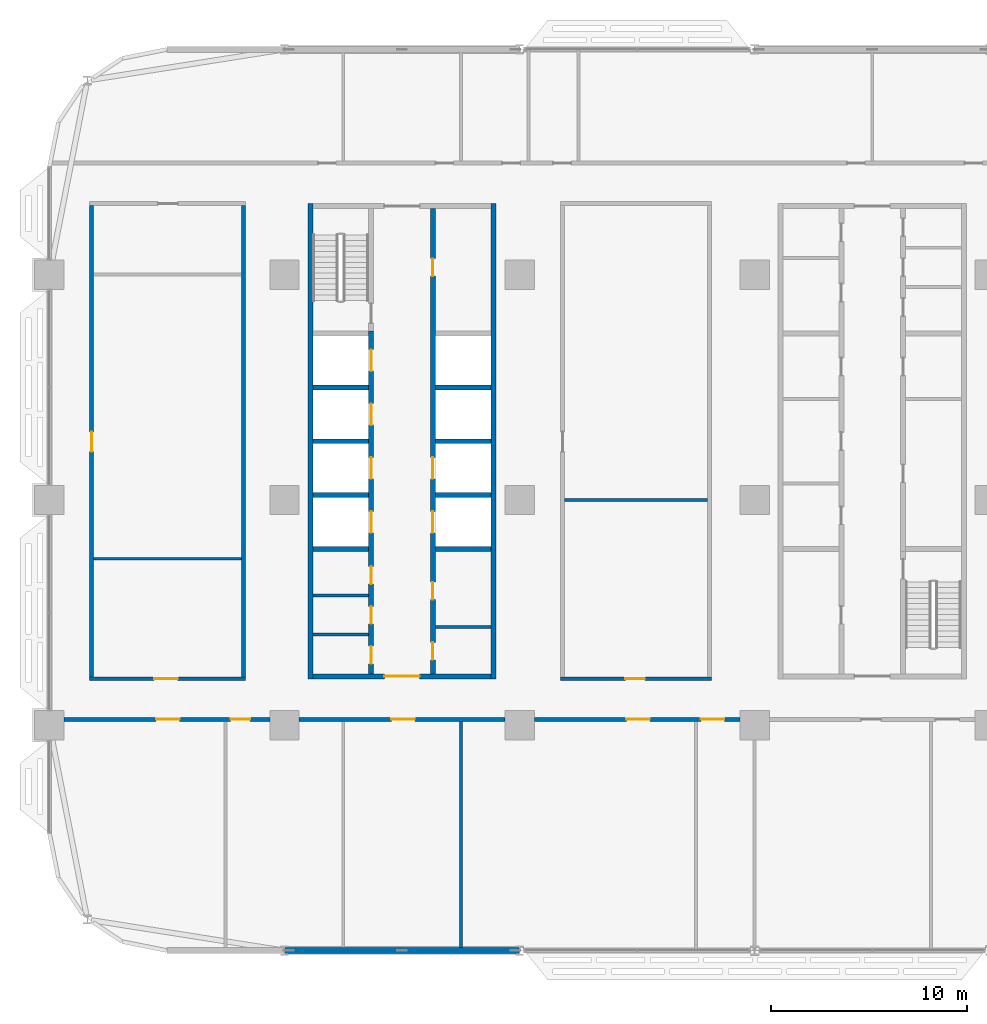
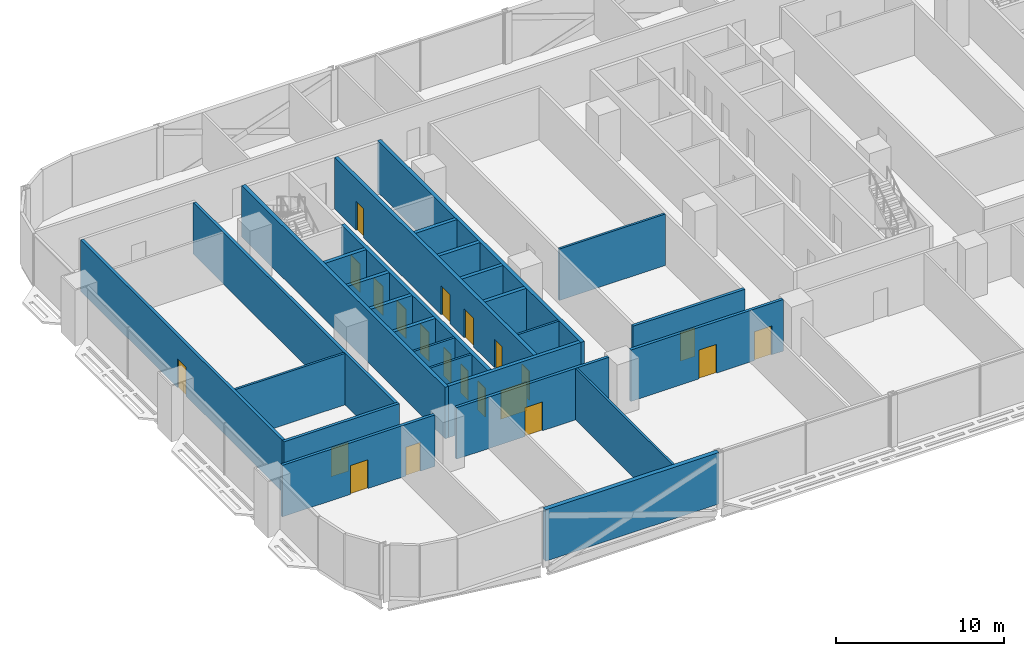
# One storey, part 12 of 29: 27 walls, 21 doors, 21 openings.
"""IFC4 building model written with IfcOpenShell, lengths in metres."""

from ifc_helpers import new_model, si_unit, direction, frame, frame_2d, origin, place, context, subcontext, project, spatial, rectangle, extrude, material, layer, layer_set, type_object, element, fill, save


model = new_model("IFC4")

# Units and contexts
model_context = context("Model", 3, precision=1e-05, world=origin(), true_north=direction((0.0, 1.0)))
body_context = subcontext(model_context, "Body", "Model", "MODEL_VIEW")
ifc_project = project(units=[si_unit("LENGTHUNIT", "METRE"), si_unit("AREAUNIT", "SQUARE_METRE"), si_unit("VOLUMEUNIT", "CUBIC_METRE"), si_unit("PLANEANGLEUNIT", "RADIAN"), si_unit("MASSUNIT", "GRAM", prefix="KILO")], contexts=[model_context])

# Site, building, storey
site_placement = place(None, origin())
site = spatial("IfcSite", under=ifc_project, at=site_placement, CompositionType="ELEMENT")
building_placement = place(site_placement, origin())
building = spatial("IfcBuilding", under=site, at=building_placement, Name="Mahtab Terrace Research Tower", CompositionType="ELEMENT")
storey_placement = place(building_placement, frame((0.0, 0.0, 76.10009765625)))
storey = spatial("IfcBuildingStorey", under=building, at=storey_placement, Name="L17", CompositionType="ELEMENT", Elevation=76.10009765625)

# Walls
ifc_material_1 = material(Name="Gypsum board partition")
ifc_layer_1 = layer(ifc_material_1, 0.14990234375)
ifc_layer_set_1 = layer_set([ifc_layer_1], Name="Core partition 150")
wall_type_1 = type_object("IfcWallType", Name="Core partition 150", PredefinedType="PARTITIONING", material=ifc_layer_set_1)
for number, where, z_axis, x_axis, name in (
    (1, (-28.550048828125, -6.875, 0.0), (0.0, 0.0, 1.0), (1.0, 0.0, 0.0), "Core wall A pWS-988"),
    (2, (-28.550048828125, -4.875, 0.0), (0.0, 0.0, 1.0), (1.0, 0.0, 0.0), "Core wall A pWS-788"),
    (3, (-22.300048828125, -6.47509765625, 0.0), (0.0, 0.0, 1.0), (1.0, 0.0, 0.0), "Core wall A pES-948"),
):
    element("IfcWall", number, at=place(storey_placement, frame(where, z_axis=z_axis, x_axis=x_axis)), inside=storey, type_object=wall_type_1, Name=name, PredefinedType="PARTITIONING", context=body_context, shape_type="SweptSolid", body=[
        extrude(rectangle(XDim=2.85009765625, YDim=0.14990234375, at=frame_2d((1.425048828125, 0.0))), origin(), (0.0, 0.0, 1.0), 3.75),
    ])
ifc_material_2 = material(Name="Concrete C70/85", Category="concrete")
ifc_layer_2 = layer(ifc_material_2, 0.25)
ifc_layer_set_2 = layer_set([ifc_layer_2], Name="Core wall 250")
wall_type_2 = type_object("IfcWallType", Name="Core wall 250", PredefinedType="SOLIDWALL", material=ifc_layer_set_2)
for number, where, z_axis, x_axis, name in (
    (4, (-28.675048828125, 15.125, 0.0), (0.0, 0.0, 1.0), (0.0, -1.0, 0.0), "Core wall A outerW"),
    (5, (-19.324951171875, -9.125, 0.0), (0.0, 0.0, 1.0), (0.0, 1.0, 0.0), "Core wall A outerE"),
):
    element("IfcWall", number, at=place(storey_placement, frame(where, z_axis=z_axis, x_axis=x_axis)), inside=storey, type_object=wall_type_2, Name=name, PredefinedType="SOLIDWALL", context=body_context, shape_type="SweptSolid", body=[
        extrude(rectangle(XDim=24.25, YDim=0.25, at=frame_2d((12.125, 0.0))), origin(), (0.0, 0.0, 1.0), 3.75),
    ])

# Wall, opening, door
wall_1_placement = place(storey_placement, frame((-19.449951171875, -9.0, 0.0), z_axis=(0.0, 0.0, 1.0), x_axis=(-1.0, 0.0, 0.0)))
wall_1 = element("IfcWall", 6, at=wall_1_placement, inside=storey, type_object=wall_type_2, Name="Core wall A endS", PredefinedType="SOLIDWALL", context=body_context, shape_type="SweptSolid", body=[
    extrude(rectangle(XDim=9.10009765625, YDim=0.25, at=frame_2d((4.550048828125, 0.0))), origin(), (0.0, 0.0, 1.0), 3.75),
])
opening_1_placement = place(wall_1_placement, frame((3.64990234375, 0.0, 0.0)))
opening_1 = element("IfcOpeningElement", 7, at=opening_1_placement, cuts=wall_1, Name="Opening A-S1", PredefinedType="OPENING", context=body_context, shape_type="SweptSolid", body=[
    extrude(rectangle(XDim=1.800048828125, YDim=2.10009765625, at=frame_2d((0.89990234375, 1.050048828125))), frame((0.0, 0.135009765625, 0.0), z_axis=(0.0, -1.0, 0.0), x_axis=(1.0, 0.0, 0.0)), (0.0, 0.0, 1.0), 0.27001953125),
])
ifc_material_3 = material(Name="Steel fire door", Category="steel")
door_type_1 = type_object("IfcDoorType", Name="Lobby double door 1800x2100 1 HR", OperationType="DOUBLE_DOOR_SINGLE_SWING", PredefinedType="DOOR", material=ifc_material_3)
door_1_placement = place(opening_1_placement, origin())
door_1 = element("IfcDoor", 8, at=door_1_placement, inside=storey, type_object=door_type_1, Name="Core entrance door A S", OperationType="DOUBLE_DOOR_SINGLE_SWING", OverallHeight=2.10009765625, OverallWidth=1.800048828125, PredefinedType="DOOR", context=body_context, shape_type="SweptSolid", body=[
    extrude(rectangle(XDim=1.800048828125, YDim=2.10009765625, at=frame_2d((0.89990234375, 1.050048828125))), frame((0.0, 0.02490234375, 0.0), z_axis=(0.0, -1.0, 0.0), x_axis=(1.0, 0.0, 0.0)), (0.0, 0.0, 1.0), 0.050048828125),
])
fill(opening_1, door_1)

# Wall, openings, doors
wall_2_placement = place(storey_placement, frame((-25.574951171875, -8.875, 0.0), z_axis=(0.0, 0.0, 1.0), x_axis=(0.0, 1.0, 0.0)))
wall_2 = element("IfcWall", 9, at=wall_2_placement, inside=storey, type_object=wall_type_2, Name="Core wall A innerWSL", PredefinedType="SOLIDWALL", context=body_context, shape_type="SweptSolid", body=[
    extrude(rectangle(XDim=17.5, YDim=0.25, at=frame_2d((8.75, 0.0))), origin(), (0.0, 0.0, 1.0), 3.75),
])
opening_2_placement = place(wall_2_placement, frame((7.199951171875, 0.0, 0.0)))
opening_2 = element("IfcOpeningElement", 10, at=opening_2_placement, cuts=wall_2, Name="Opening LD01-L17", PredefinedType="OPENING", context=body_context, shape_type="SweptSolid", body=[
    extrude(rectangle(XDim=1.10009765625, YDim=2.10009765625, at=frame_2d((0.550048828125, 1.050048828125))), frame((0.0, 0.135009765625, 0.0), z_axis=(0.0, -1.0, 0.0), x_axis=(1.0, 0.0, 0.0)), (0.0, 0.0, 1.0), 0.27001953125),
])
opening_3_placement = place(wall_2_placement, frame((9.949951171875, 0.0, 0.0)))
opening_3 = element("IfcOpeningElement", 11, at=opening_3_placement, cuts=wall_2, Name="Opening LD02-L17", PredefinedType="OPENING", context=body_context, shape_type="SweptSolid", body=[
    extrude(rectangle(XDim=1.10009765625, YDim=2.10009765625, at=frame_2d((0.550048828125, 1.050048828125))), frame((0.0, 0.135009765625, 0.0), z_axis=(0.0, -1.0, 0.0), x_axis=(1.0, 0.0, 0.0)), (0.0, 0.0, 1.0), 0.27001953125),
])
opening_4_placement = place(wall_2_placement, frame((12.699951171875, 0.0, 0.0)))
opening_4 = element("IfcOpeningElement", 12, at=opening_4_placement, cuts=wall_2, Name="Opening LD03-L17", PredefinedType="OPENING", context=body_context, shape_type="SweptSolid", body=[
    extrude(rectangle(XDim=1.10009765625, YDim=2.10009765625, at=frame_2d((0.550048828125, 1.050048828125))), frame((0.0, 0.135009765625, 0.0), z_axis=(0.0, -1.0, 0.0), x_axis=(1.0, 0.0, 0.0)), (0.0, 0.0, 1.0), 0.27001953125),
])
opening_5_placement = place(wall_2_placement, frame((15.449951171875, 0.0, 0.0)))
opening_5 = element("IfcOpeningElement", 13, at=opening_5_placement, cuts=wall_2, Name="Opening LD04-L17", PredefinedType="OPENING", context=body_context, shape_type="SweptSolid", body=[
    extrude(rectangle(XDim=1.10009765625, YDim=2.10009765625, at=frame_2d((0.550048828125, 1.050048828125))), frame((0.0, 0.135009765625, 0.0), z_axis=(0.0, -1.0, 0.0), x_axis=(1.0, 0.0, 0.0)), (0.0, 0.0, 1.0), 0.27001953125),
])
opening_6_placement = place(wall_2_placement, frame((0.512451171875, 0.0, 0.0)))
opening_6 = element("IfcOpeningElement", 14, at=opening_6_placement, cuts=wall_2, Name="Opening A-R1", PredefinedType="OPENING", context=body_context, shape_type="SweptSolid", body=[
    extrude(rectangle(XDim=0.89990234375, YDim=2.10009765625, at=frame_2d((0.449951171875, 1.050048828125))), frame((0.0, 0.135009765625, 0.0), z_axis=(0.0, -1.0, 0.0), x_axis=(1.0, 0.0, 0.0)), (0.0, 0.0, 1.0), 0.27001953125),
])
opening_7_placement = place(wall_2_placement, frame((2.550048828125, 0.0, 0.0)))
opening_7 = element("IfcOpeningElement", 15, at=opening_7_placement, cuts=wall_2, Name="Opening A-R2", PredefinedType="OPENING", context=body_context, shape_type="SweptSolid", body=[
    extrude(rectangle(XDim=0.89990234375, YDim=2.10009765625, at=frame_2d((0.449951171875, 1.050048828125))), frame((0.0, 0.135009765625, 0.0), z_axis=(0.0, -1.0, 0.0), x_axis=(1.0, 0.0, 0.0)), (0.0, 0.0, 1.0), 0.27001953125),
])
opening_8_placement = place(wall_2_placement, frame((4.58740234375, 0.0, 0.0)))
opening_8 = element("IfcOpeningElement", 16, at=opening_8_placement, cuts=wall_2, Name="Opening A-R3", PredefinedType="OPENING", context=body_context, shape_type="SweptSolid", body=[
    extrude(rectangle(XDim=0.89990234375, YDim=2.10009765625, at=frame_2d((0.449951171875, 1.050048828125))), frame((0.0, 0.135009765625, 0.0), z_axis=(0.0, -1.0, 0.0), x_axis=(1.0, 0.0, 0.0)), (0.0, 0.0, 1.0), 0.27001953125),
])
ifc_material_4 = material(Name="Stainless steel AISI 304", Category="steel")
door_type_2 = type_object("IfcDoorType", Name="Landing door 1100x2100", OperationType="DOUBLE_DOOR_SLIDING", PredefinedType="DOOR", material=ifc_material_4)
door_2_placement = place(opening_2_placement, origin())
door_2 = element("IfcDoor", 17, at=door_2_placement, inside=storey, type_object=door_type_2, Name="Landing door LR1 L17", OperationType="DOUBLE_DOOR_SLIDING", OverallHeight=2.10009765625, OverallWidth=1.10009765625, PredefinedType="DOOR", context=body_context, shape_type="SweptSolid", body=[
    extrude(rectangle(XDim=1.10009765625, YDim=2.10009765625, at=frame_2d((0.550048828125, 1.050048828125))), frame((0.0, 0.02490234375, 0.0), z_axis=(0.0, -1.0, 0.0), x_axis=(1.0, 0.0, 0.0)), (0.0, 0.0, 1.0), 0.050048828125),
])
fill(opening_2, door_2)
door_3_placement = place(opening_3_placement, origin())
door_3 = element("IfcDoor", 18, at=door_3_placement, inside=storey, type_object=door_type_2, Name="Landing door LR2 L17", OperationType="DOUBLE_DOOR_SLIDING", OverallHeight=2.10009765625, OverallWidth=1.10009765625, PredefinedType="DOOR", context=body_context, shape_type="SweptSolid", body=[
    extrude(rectangle(XDim=1.10009765625, YDim=2.10009765625, at=frame_2d((0.550048828125, 1.050048828125))), frame((0.0, 0.02490234375, 0.0), z_axis=(0.0, -1.0, 0.0), x_axis=(1.0, 0.0, 0.0)), (0.0, 0.0, 1.0), 0.050048828125),
])
fill(opening_3, door_3)
door_4_placement = place(opening_4_placement, origin())
door_4 = element("IfcDoor", 19, at=door_4_placement, inside=storey, type_object=door_type_2, Name="Landing door LR3 L17", OperationType="DOUBLE_DOOR_SLIDING", OverallHeight=2.10009765625, OverallWidth=1.10009765625, PredefinedType="DOOR", context=body_context, shape_type="SweptSolid", body=[
    extrude(rectangle(XDim=1.10009765625, YDim=2.10009765625, at=frame_2d((0.550048828125, 1.050048828125))), frame((0.0, 0.02490234375, 0.0), z_axis=(0.0, -1.0, 0.0), x_axis=(1.0, 0.0, 0.0)), (0.0, 0.0, 1.0), 0.050048828125),
])
fill(opening_4, door_4)
door_5_placement = place(opening_5_placement, origin())
door_5 = element("IfcDoor", 20, at=door_5_placement, inside=storey, type_object=door_type_2, Name="Landing door LR4 L17", OperationType="DOUBLE_DOOR_SLIDING", OverallHeight=2.10009765625, OverallWidth=1.10009765625, PredefinedType="DOOR", context=body_context, shape_type="SweptSolid", body=[
    extrude(rectangle(XDim=1.10009765625, YDim=2.10009765625, at=frame_2d((0.550048828125, 1.050048828125))), frame((0.0, 0.02490234375, 0.0), z_axis=(0.0, -1.0, 0.0), x_axis=(1.0, 0.0, 0.0)), (0.0, 0.0, 1.0), 0.050048828125),
])
fill(opening_5, door_5)
door_type_3 = type_object("IfcDoorType", Name="Room door 900x2100 1 HR", OperationType="NOTDEFINED", PredefinedType="DOOR", material=ifc_material_3)
door_6_placement = place(opening_6_placement, origin())
door_6 = element("IfcDoor", 21, at=door_6_placement, inside=storey, type_object=door_type_3, Name="Male WC door", OperationType="SINGLE_SWING_LEFT", OverallHeight=2.10009765625, OverallWidth=0.89990234375, PredefinedType="DOOR", context=body_context, shape_type="SweptSolid", body=[
    extrude(rectangle(XDim=0.89990234375, YDim=2.10009765625, at=frame_2d((0.449951171875, 1.050048828125))), frame((0.0, 0.02490234375, 0.0), z_axis=(0.0, -1.0, 0.0), x_axis=(1.0, 0.0, 0.0)), (0.0, 0.0, 1.0), 0.050048828125),
])
fill(opening_6, door_6)
door_7_placement = place(opening_7_placement, origin())
door_7 = element("IfcDoor", 22, at=door_7_placement, inside=storey, type_object=door_type_3, Name="Female WC door", OperationType="SINGLE_SWING_RIGHT", OverallHeight=2.10009765625, OverallWidth=0.89990234375, PredefinedType="DOOR", context=body_context, shape_type="SweptSolid", body=[
    extrude(rectangle(XDim=0.89990234375, YDim=2.10009765625, at=frame_2d((0.449951171875, 1.050048828125))), frame((0.0, 0.02490234375, 0.0), z_axis=(0.0, -1.0, 0.0), x_axis=(1.0, 0.0, 0.0)), (0.0, 0.0, 1.0), 0.050048828125),
])
fill(opening_7, door_7)
door_8_placement = place(opening_8_placement, origin())
door_8 = element("IfcDoor", 23, at=door_8_placement, inside=storey, type_object=door_type_3, Name="Accessible WC door", OperationType="SINGLE_SWING_LEFT", OverallHeight=2.10009765625, OverallWidth=0.89990234375, PredefinedType="DOOR", context=body_context, shape_type="SweptSolid", body=[
    extrude(rectangle(XDim=0.89990234375, YDim=2.10009765625, at=frame_2d((0.449951171875, 1.050048828125))), frame((0.0, 0.02490234375, 0.0), z_axis=(0.0, -1.0, 0.0), x_axis=(1.0, 0.0, 0.0)), (0.0, 0.0, 1.0), 0.050048828125),
])
fill(opening_8, door_8)

wall_3_placement = place(storey_placement, frame((-22.425048828125, 14.875, 0.0), z_axis=(0.0, 0.0, 1.0), x_axis=(0.0, -1.0, 0.0)))
wall_3 = element("IfcWall", 24, at=wall_3_placement, inside=storey, type_object=wall_type_2, Name="Core wall A innerESLN", PredefinedType="SOLIDWALL", context=body_context, shape_type="SweptSolid", body=[
    extrude(rectangle(XDim=23.75, YDim=0.25, at=frame_2d((11.875, 0.0))), origin(), (0.0, 0.0, 1.0), 3.75),
])
opening_9_placement = place(wall_3_placement, frame((15.449951171875, 0.0, 0.0)))
opening_9 = element("IfcOpeningElement", 25, at=opening_9_placement, cuts=wall_3, Name="Opening LD05-L17", PredefinedType="OPENING", context=body_context, shape_type="SweptSolid", body=[
    extrude(rectangle(XDim=1.10009765625, YDim=2.10009765625, at=frame_2d((0.550048828125, 1.050048828125))), frame((0.0, 0.135009765625, 0.0), z_axis=(0.0, -1.0, 0.0), x_axis=(1.0, 0.0, 0.0)), (0.0, 0.0, 1.0), 0.27001953125),
])
opening_10_placement = place(wall_3_placement, frame((12.699951171875, 0.0, 0.0)))
opening_10 = element("IfcOpeningElement", 26, at=opening_10_placement, cuts=wall_3, Name="Opening LD06-L17", PredefinedType="OPENING", context=body_context, shape_type="SweptSolid", body=[
    extrude(rectangle(XDim=1.10009765625, YDim=2.10009765625, at=frame_2d((0.550048828125, 1.050048828125))), frame((0.0, 0.135009765625, 0.0), z_axis=(0.0, -1.0, 0.0), x_axis=(1.0, 0.0, 0.0)), (0.0, 0.0, 1.0), 0.27001953125),
])
opening_11_placement = place(wall_3_placement, frame((22.137451171875, 0.0, 0.0)))
opening_11 = element("IfcOpeningElement", 27, at=opening_11_placement, cuts=wall_3, Name="Opening A-R4", PredefinedType="OPENING", context=body_context, shape_type="SweptSolid", body=[
    extrude(rectangle(XDim=0.89990234375, YDim=2.10009765625, at=frame_2d((0.449951171875, 1.050048828125))), frame((0.0, 0.135009765625, 0.0), z_axis=(0.0, -1.0, 0.0), x_axis=(1.0, 0.0, 0.0)), (0.0, 0.0, 1.0), 0.27001953125),
])
opening_12_placement = place(wall_3_placement, frame((19.0625, 0.0, 0.0)))
opening_12 = element("IfcOpeningElement", 28, at=opening_12_placement, cuts=wall_3, Name="Opening A-R5", PredefinedType="OPENING", context=body_context, shape_type="SweptSolid", body=[
    extrude(rectangle(XDim=0.89990234375, YDim=2.10009765625, at=frame_2d((0.449951171875, 1.050048828125))), frame((0.0, 0.135009765625, 0.0), z_axis=(0.0, -1.0, 0.0), x_axis=(1.0, 0.0, 0.0)), (0.0, 0.0, 1.0), 0.27001953125),
])
opening_13_placement = place(wall_3_placement, frame((2.550048828125, 0.0, 0.0)))
opening_13 = element("IfcOpeningElement", 29, at=opening_13_placement, cuts=wall_3, Name="Opening A-R6", PredefinedType="OPENING", context=body_context, shape_type="SweptSolid", body=[
    extrude(rectangle(XDim=0.89990234375, YDim=2.10009765625, at=frame_2d((0.449951171875, 1.050048828125))), frame((0.0, 0.135009765625, 0.0), z_axis=(0.0, -1.0, 0.0), x_axis=(1.0, 0.0, 0.0)), (0.0, 0.0, 1.0), 0.27001953125),
])
door_9_placement = place(opening_9_placement, origin())
door_9 = element("IfcDoor", 30, at=door_9_placement, inside=storey, type_object=door_type_2, Name="Landing door LR5 L17", OperationType="DOUBLE_DOOR_SLIDING", OverallHeight=2.10009765625, OverallWidth=1.10009765625, PredefinedType="DOOR", context=body_context, shape_type="SweptSolid", body=[
    extrude(rectangle(XDim=1.10009765625, YDim=2.10009765625, at=frame_2d((0.550048828125, 1.050048828125))), frame((0.0, 0.02490234375, 0.0), z_axis=(0.0, -1.0, 0.0), x_axis=(1.0, 0.0, 0.0)), (0.0, 0.0, 1.0), 0.050048828125),
])
fill(opening_9, door_9)
door_10_placement = place(opening_10_placement, origin())
door_10 = element("IfcDoor", 31, at=door_10_placement, inside=storey, type_object=door_type_2, Name="Landing door LR6 L17", OperationType="DOUBLE_DOOR_SLIDING", OverallHeight=2.10009765625, OverallWidth=1.10009765625, PredefinedType="DOOR", context=body_context, shape_type="SweptSolid", body=[
    extrude(rectangle(XDim=1.10009765625, YDim=2.10009765625, at=frame_2d((0.550048828125, 1.050048828125))), frame((0.0, 0.02490234375, 0.0), z_axis=(0.0, -1.0, 0.0), x_axis=(1.0, 0.0, 0.0)), (0.0, 0.0, 1.0), 0.050048828125),
])
fill(opening_10, door_10)
door_11_placement = place(opening_11_placement, origin())
door_11 = element("IfcDoor", 32, at=door_11_placement, inside=storey, type_object=door_type_3, Name="Mechanical riser room door", OperationType="SINGLE_SWING_RIGHT", OverallHeight=2.10009765625, OverallWidth=0.89990234375, PredefinedType="DOOR", context=body_context, shape_type="SweptSolid", body=[
    extrude(rectangle(XDim=0.89990234375, YDim=2.10009765625, at=frame_2d((0.449951171875, 1.050048828125))), frame((0.0, 0.02490234375, 0.0), z_axis=(0.0, -1.0, 0.0), x_axis=(1.0, 0.0, 0.0)), (0.0, 0.0, 1.0), 0.050048828125),
])
fill(opening_11, door_11)
door_12_placement = place(opening_12_placement, origin())
door_12 = element("IfcDoor", 33, at=door_12_placement, inside=storey, type_object=door_type_3, Name="Chemical store door", OperationType="SINGLE_SWING_LEFT", OverallHeight=2.10009765625, OverallWidth=0.89990234375, PredefinedType="DOOR", context=body_context, shape_type="SweptSolid", body=[
    extrude(rectangle(XDim=0.89990234375, YDim=2.10009765625, at=frame_2d((0.449951171875, 1.050048828125))), frame((0.0, 0.02490234375, 0.0), z_axis=(0.0, -1.0, 0.0), x_axis=(1.0, 0.0, 0.0)), (0.0, 0.0, 1.0), 0.050048828125),
])
fill(opening_12, door_12)
door_13_placement = place(opening_13_placement, origin())
door_13 = element("IfcDoor", 34, at=door_13_placement, inside=storey, type_object=door_type_3, Name="Gas cylinder store door", OperationType="SINGLE_SWING_RIGHT", OverallHeight=2.10009765625, OverallWidth=0.89990234375, PredefinedType="DOOR", context=body_context, shape_type="SweptSolid", body=[
    extrude(rectangle(XDim=0.89990234375, YDim=2.10009765625, at=frame_2d((0.449951171875, 1.050048828125))), frame((0.0, 0.02490234375, 0.0), z_axis=(0.0, -1.0, 0.0), x_axis=(1.0, 0.0, 0.0)), (0.0, 0.0, 1.0), 0.050048828125),
])
fill(opening_13, door_13)

# Walls
for number, where, z_axis, x_axis, name in (
    (35, (-28.550048828125, -2.5, 0.0), (0.0, 0.0, 1.0), (1.0, 0.0, 0.0), "Core wall A divW0"),
    (36, (-28.550048828125, 0.25, 0.0), (0.0, 0.0, 1.0), (1.0, 0.0, 0.0), "Core wall A divW1"),
    (37, (-28.550048828125, 3.0, 0.0), (0.0, 0.0, 1.0), (1.0, 0.0, 0.0), "Core wall A divW2"),
    (38, (-28.550048828125, 5.75, 0.0), (0.0, 0.0, 1.0), (1.0, 0.0, 0.0), "Core wall A divW3"),
    (39, (-22.300048828125, -2.5, 0.0), (0.0, 0.0, 1.0), (1.0, 0.0, 0.0), "Core wall A divE0"),
    (40, (-22.300048828125, 0.25, 0.0), (0.0, 0.0, 1.0), (1.0, 0.0, 0.0), "Core wall A divE1"),
    (41, (-22.300048828125, 3.0, 0.0), (0.0, 0.0, 1.0), (1.0, 0.0, 0.0), "Core wall A divE2"),
    (42, (-22.300048828125, 5.75, 0.0), (0.0, 0.0, 1.0), (1.0, 0.0, 0.0), "Core wall A divE3"),
):
    element("IfcWall", number, at=place(storey_placement, frame(where, z_axis=z_axis, x_axis=x_axis)), inside=storey, type_object=wall_type_2, Name=name, PredefinedType="SOLIDWALL", context=body_context, shape_type="SweptSolid", body=[
        extrude(rectangle(XDim=2.85009765625, YDim=0.25, at=frame_2d((1.425048828125, 0.0))), origin(), (0.0, 0.0, 1.0), 3.75),
    ])
ifc_material_5 = material(Name="Black aluminium cladding panel", Category="aluminium")
ifc_layer_3 = layer(ifc_material_5, 0.300048828125)
ifc_layer_set_3 = layer_set([ifc_layer_3], Name="Opaque facade wall 300")
wall_type_3 = type_object("IfcWallType", Name="Opaque facade wall 300", PredefinedType="NOTDEFINED", material=ifc_layer_set_3)
wall_4_placement = place(storey_placement, frame((-29.97607421875, -23.0, 0.0), z_axis=(0.0, 0.0, 1.0), x_axis=(1.0, 0.0, 0.0)))
element("IfcWall", 43, at=wall_4_placement, inside=storey, type_object=wall_type_3, Name="Opaque facade wall L17 S24", PredefinedType="NOTDEFINED", context=body_context, shape_type="SweptSolid", body=[
    extrude(rectangle(XDim=11.9521484375, YDim=0.300048828125, at=frame_2d((5.97607421875, 0.0))), origin(), (0.0, 0.0, 1.0), 3.75),
])

# Wall, openings, doors
ifc_material_6 = material(Name="Gypsum board corridor wall on steel studs", Category="steel")
ifc_layer_4 = layer(ifc_material_6, 0.199951171875)
ifc_layer_set_4 = layer_set([ifc_layer_4], Name="WALL CORRIDOR 200")
wall_type_4 = type_object("IfcWallType", Name="WALL CORRIDOR 200", PredefinedType="PARTITIONING", material=ifc_layer_set_4)
wall_5_placement = place(storey_placement, frame((-41.25, -11.199951171875, 0.0), z_axis=(0.0, 0.0, 1.0), x_axis=(1.0, 0.0, 0.0)))
wall_5 = element("IfcWall", 44, at=wall_5_placement, inside=storey, type_object=wall_type_4, Name="L17-W001", PredefinedType="PARTITIONING", context=body_context, shape_type="SweptSolid", body=[
    extrude(rectangle(XDim=10.5, YDim=0.199951171875, at=frame_2d((5.25, 0.0))), origin(), (0.0, 0.0, 1.0), 3.75),
])
opening_14_placement = place(wall_5_placement, frame((4.699951171875, 0.0, 0.0)))
opening_14 = element("IfcOpeningElement", 45, at=opening_14_placement, cuts=wall_5, Name="Opening L17-101", PredefinedType="OPENING", context=body_context, shape_type="SweptSolid", body=[
    extrude(rectangle(XDim=1.199951171875, YDim=2.10009765625, at=frame_2d((0.60009765625, 1.050048828125))), frame((0.0, 0.10986328125, 0.0), z_axis=(0.0, -1.0, 0.0), x_axis=(1.0, 0.0, 0.0)), (0.0, 0.0, 1.0), 0.219970703125),
])
opening_15_placement = place(wall_5_placement, frame((8.5, 0.0, 0.0)))
opening_15 = element("IfcOpeningElement", 46, at=opening_15_placement, cuts=wall_5, Name="Opening L17-102", PredefinedType="OPENING", context=body_context, shape_type="SweptSolid", body=[
    extrude(rectangle(XDim=1.0, YDim=2.10009765625, at=frame_2d((0.5, 1.050048828125))), frame((0.0, 0.10986328125, 0.0), z_axis=(0.0, -1.0, 0.0), x_axis=(1.0, 0.0, 0.0)), (0.0, 0.0, 1.0), 0.219970703125),
])
ifc_material_7 = material(Name="Timber door leaf in steel frame", Category="steel")
door_type_4 = type_object("IfcDoorType", Name="DOOR 1000X2100 FD30S", OperationType="SINGLE_SWING_LEFT", PredefinedType="DOOR", material=ifc_material_7)
door_14_placement = place(opening_15_placement, origin())
door_14 = element("IfcDoor", 47, at=door_14_placement, inside=storey, type_object=door_type_4, Name="Door L17-102", OperationType="SINGLE_SWING_LEFT", OverallHeight=2.10009765625, OverallWidth=1.0, PredefinedType="DOOR", context=body_context, shape_type="SweptSolid", body=[
    extrude(rectangle(XDim=1.0, YDim=2.10009765625, at=frame_2d((0.5, 1.050048828125))), frame((0.0, 0.02490234375, 0.0), z_axis=(0.0, -1.0, 0.0), x_axis=(1.0, 0.0, 0.0)), (0.0, 0.0, 1.0), 0.050048828125),
])
fill(opening_15, door_14)
door_type_5 = type_object("IfcDoorType", Name="DOOR 1200X2100 FD30S", OperationType="SINGLE_SWING_LEFT", PredefinedType="DOOR", material=ifc_material_7)
door_15_placement = place(opening_14_placement, origin())
door_15 = element("IfcDoor", 48, at=door_15_placement, inside=storey, type_object=door_type_5, Name="Door L17-101", OperationType="SINGLE_SWING_LEFT", OverallHeight=2.10009765625, OverallWidth=1.199951171875, PredefinedType="DOOR", context=body_context, shape_type="SweptSolid", body=[
    extrude(rectangle(XDim=1.199951171875, YDim=2.10009765625, at=frame_2d((0.60009765625, 1.050048828125))), frame((0.0, 0.02490234375, 0.0), z_axis=(0.0, -1.0, 0.0), x_axis=(1.0, 0.0, 0.0)), (0.0, 0.0, 1.0), 0.050048828125),
])
fill(opening_14, door_15)

# Wall, opening, door
wall_6_placement = place(storey_placement, frame((-29.25, -11.199951171875, 0.0), z_axis=(0.0, 0.0, 1.0), x_axis=(1.0, 0.0, 0.0)))
wall_6 = element("IfcWall", 49, at=wall_6_placement, inside=storey, type_object=wall_type_4, Name="L17-W002", PredefinedType="PARTITIONING", context=body_context, shape_type="SweptSolid", body=[
    extrude(rectangle(XDim=10.5, YDim=0.199951171875, at=frame_2d((5.25, 0.0))), origin(), (0.0, 0.0, 1.0), 3.75),
])
opening_16_placement = place(wall_6_placement, frame((4.699951171875, 0.0, 0.0)))
opening_16 = element("IfcOpeningElement", 50, at=opening_16_placement, cuts=wall_6, Name="Opening L17-103", PredefinedType="OPENING", context=body_context, shape_type="SweptSolid", body=[
    extrude(rectangle(XDim=1.199951171875, YDim=2.10009765625, at=frame_2d((0.60009765625, 1.050048828125))), frame((0.0, 0.10986328125, 0.0), z_axis=(0.0, -1.0, 0.0), x_axis=(1.0, 0.0, 0.0)), (0.0, 0.0, 1.0), 0.219970703125),
])
door_16_placement = place(opening_16_placement, origin())
door_16 = element("IfcDoor", 51, at=door_16_placement, inside=storey, type_object=door_type_5, Name="Door L17-103", OperationType="SINGLE_SWING_LEFT", OverallHeight=2.10009765625, OverallWidth=1.199951171875, PredefinedType="DOOR", context=body_context, shape_type="SweptSolid", body=[
    extrude(rectangle(XDim=1.199951171875, YDim=2.10009765625, at=frame_2d((0.60009765625, 1.050048828125))), frame((0.0, 0.02490234375, 0.0), z_axis=(0.0, -1.0, 0.0), x_axis=(1.0, 0.0, 0.0)), (0.0, 0.0, 1.0), 0.050048828125),
])
fill(opening_16, door_16)

# Wall, openings, doors
wall_7_placement = place(storey_placement, frame((-17.25, -11.199951171875, 0.0), z_axis=(0.0, 0.0, 1.0), x_axis=(1.0, 0.0, 0.0)))
wall_7 = element("IfcWall", 52, at=wall_7_placement, inside=storey, type_object=wall_type_4, Name="L17-W003", PredefinedType="PARTITIONING", context=body_context, shape_type="SweptSolid", body=[
    extrude(rectangle(XDim=10.5, YDim=0.199951171875, at=frame_2d((5.25, 0.0))), origin(), (0.0, 0.0, 1.0), 3.75),
])
opening_17_placement = place(wall_7_placement, frame((4.699951171875, 0.0, 0.0)))
opening_17 = element("IfcOpeningElement", 53, at=opening_17_placement, cuts=wall_7, Name="Opening L17-104", PredefinedType="OPENING", context=body_context, shape_type="SweptSolid", body=[
    extrude(rectangle(XDim=1.199951171875, YDim=2.10009765625, at=frame_2d((0.60009765625, 1.050048828125))), frame((0.0, 0.10986328125, 0.0), z_axis=(0.0, -1.0, 0.0), x_axis=(1.0, 0.0, 0.0)), (0.0, 0.0, 1.0), 0.219970703125),
])
opening_18_placement = place(wall_7_placement, frame((8.5, 0.0, 0.0)))
opening_18 = element("IfcOpeningElement", 54, at=opening_18_placement, cuts=wall_7, Name="Opening L17-105", PredefinedType="OPENING", context=body_context, shape_type="SweptSolid", body=[
    extrude(rectangle(XDim=1.199951171875, YDim=2.10009765625, at=frame_2d((0.60009765625, 1.050048828125))), frame((0.0, 0.10986328125, 0.0), z_axis=(0.0, -1.0, 0.0), x_axis=(1.0, 0.0, 0.0)), (0.0, 0.0, 1.0), 0.219970703125),
])
door_17_placement = place(opening_17_placement, origin())
door_17 = element("IfcDoor", 55, at=door_17_placement, inside=storey, type_object=door_type_5, Name="Door L17-104", OperationType="SINGLE_SWING_LEFT", OverallHeight=2.10009765625, OverallWidth=1.199951171875, PredefinedType="DOOR", context=body_context, shape_type="SweptSolid", body=[
    extrude(rectangle(XDim=1.199951171875, YDim=2.10009765625, at=frame_2d((0.60009765625, 1.050048828125))), frame((0.0, 0.02490234375, 0.0), z_axis=(0.0, -1.0, 0.0), x_axis=(1.0, 0.0, 0.0)), (0.0, 0.0, 1.0), 0.050048828125),
])
fill(opening_17, door_17)
door_18_placement = place(opening_18_placement, origin())
door_18 = element("IfcDoor", 56, at=door_18_placement, inside=storey, type_object=door_type_5, Name="Door L17-105", OperationType="SINGLE_SWING_LEFT", OverallHeight=2.10009765625, OverallWidth=1.199951171875, PredefinedType="DOOR", context=body_context, shape_type="SweptSolid", body=[
    extrude(rectangle(XDim=1.199951171875, YDim=2.10009765625, at=frame_2d((0.60009765625, 1.050048828125))), frame((0.0, 0.02490234375, 0.0), z_axis=(0.0, -1.0, 0.0), x_axis=(1.0, 0.0, 0.0)), (0.0, 0.0, 1.0), 0.050048828125),
])
fill(opening_18, door_18)

# Wall, opening, door
wall_8_placement = place(storey_placement, frame((-39.949951171875, -9.125, 0.0), z_axis=(0.0, 0.0, 1.0), x_axis=(1.0, 0.0, 0.0)))
wall_8 = element("IfcWall", 57, at=wall_8_placement, inside=storey, type_object=wall_type_4, Name="L17-W009", PredefinedType="PARTITIONING", context=body_context, shape_type="SweptSolid", body=[
    extrude(rectangle(XDim=7.949951171875, YDim=0.199951171875, at=frame_2d((3.97509765625, 0.0))), origin(), (0.0, 0.0, 1.0), 3.75),
])
opening_19_placement = place(wall_8_placement, frame((3.300048828125, 0.0, 0.0)))
opening_19 = element("IfcOpeningElement", 58, at=opening_19_placement, cuts=wall_8, Name="Opening L17-114", PredefinedType="OPENING", context=body_context, shape_type="SweptSolid", body=[
    extrude(rectangle(XDim=1.199951171875, YDim=2.10009765625, at=frame_2d((0.60009765625, 1.050048828125))), frame((0.0, 0.10986328125, 0.0), z_axis=(0.0, -1.0, 0.0), x_axis=(1.0, 0.0, 0.0)), (0.0, 0.0, 1.0), 0.219970703125),
])
door_19_placement = place(opening_19_placement, origin())
door_19 = element("IfcDoor", 59, at=door_19_placement, inside=storey, type_object=door_type_5, Name="Door L17-114", OperationType="SINGLE_SWING_LEFT", OverallHeight=2.10009765625, OverallWidth=1.199951171875, PredefinedType="DOOR", context=body_context, shape_type="SweptSolid", body=[
    extrude(rectangle(XDim=1.199951171875, YDim=2.10009765625, at=frame_2d((0.60009765625, 1.050048828125))), frame((0.0, 0.02490234375, 0.0), z_axis=(0.0, -1.0, 0.0), x_axis=(1.0, 0.0, 0.0)), (0.0, 0.0, 1.0), 0.050048828125),
])
fill(opening_19, door_19)

wall_9_placement = place(storey_placement, frame((-15.89990234375, -9.125, 0.0), z_axis=(0.0, 0.0, 1.0), x_axis=(1.0, 0.0, 0.0)))
wall_9 = element("IfcWall", 60, at=wall_9_placement, inside=storey, type_object=wall_type_4, Name="L17-W010", PredefinedType="PARTITIONING", context=body_context, shape_type="SweptSolid", body=[
    extrude(rectangle(XDim=7.699951171875, YDim=0.199951171875, at=frame_2d((3.85009765625, 0.0))), origin(), (0.0, 0.0, 1.0), 3.75),
])
opening_20_placement = place(wall_9_placement, frame((3.300048828125, 0.0, 0.0)))
opening_20 = element("IfcOpeningElement", 61, at=opening_20_placement, cuts=wall_9, Name="Opening L17-116", PredefinedType="OPENING", context=body_context, shape_type="SweptSolid", body=[
    extrude(rectangle(XDim=1.0, YDim=2.10009765625, at=frame_2d((0.5, 1.050048828125))), frame((0.0, 0.10986328125, 0.0), z_axis=(0.0, -1.0, 0.0), x_axis=(1.0, 0.0, 0.0)), (0.0, 0.0, 1.0), 0.219970703125),
])
door_20_placement = place(opening_20_placement, origin())
door_20 = element("IfcDoor", 62, at=door_20_placement, inside=storey, type_object=door_type_4, Name="Door L17-116", OperationType="SINGLE_SWING_LEFT", OverallHeight=2.10009765625, OverallWidth=1.0, PredefinedType="DOOR", context=body_context, shape_type="SweptSolid", body=[
    extrude(rectangle(XDim=1.0, YDim=2.10009765625, at=frame_2d((0.5, 1.050048828125))), frame((0.0, 0.02490234375, 0.0), z_axis=(0.0, -1.0, 0.0), x_axis=(1.0, 0.0, 0.0)), (0.0, 0.0, 1.0), 0.050048828125),
])
fill(opening_20, door_20)

wall_10_placement = place(storey_placement, frame((-39.85009765625, -9.02490234375, 0.0), z_axis=(0.0, 0.0, 1.0), x_axis=(0.0, 1.0, 0.0)))
wall_10 = element("IfcWall", 63, at=wall_10_placement, inside=storey, type_object=wall_type_4, Name="L17-W025", PredefinedType="PARTITIONING", context=body_context, shape_type="SweptSolid", body=[
    extrude(rectangle(XDim=24.0498046875, YDim=0.199951171875, at=frame_2d((12.02490234375, 0.0))), origin(), (0.0, 0.0, 1.0), 3.75),
])
opening_21_placement = place(wall_10_placement, frame((11.5, 0.0, 0.0)))
opening_21 = element("IfcOpeningElement", 64, at=opening_21_placement, cuts=wall_10, Name="Opening L17-119", PredefinedType="OPENING", context=body_context, shape_type="SweptSolid", body=[
    extrude(rectangle(XDim=1.0, YDim=2.10009765625, at=frame_2d((0.5, 1.050048828125))), frame((0.0, 0.10986328125, 0.0), z_axis=(0.0, -1.0, 0.0), x_axis=(1.0, 0.0, 0.0)), (0.0, 0.0, 1.0), 0.219970703125),
])
door_21_placement = place(opening_21_placement, origin())
door_21 = element("IfcDoor", 65, at=door_21_placement, inside=storey, type_object=door_type_4, Name="Door L17-119", OperationType="SINGLE_SWING_RIGHT", OverallHeight=2.10009765625, OverallWidth=1.0, PredefinedType="DOOR", context=body_context, shape_type="SweptSolid", body=[
    extrude(rectangle(XDim=1.0, YDim=2.10009765625, at=frame_2d((0.5, 1.050048828125))), frame((0.0, 0.02490234375, 0.0), z_axis=(0.0, -1.0, 0.0), x_axis=(1.0, 0.0, 0.0)), (0.0, 0.0, 1.0), 0.050048828125),
])
fill(opening_21, door_21)

# Walls
wall_11_placement = place(storey_placement, frame((-32.10009765625, -9.02490234375, 0.0), z_axis=(0.0, 0.0, 1.0), x_axis=(0.0, 1.0, 0.0)))
element("IfcWall", 66, at=wall_11_placement, inside=storey, type_object=wall_type_4, Name="L17-W027", PredefinedType="PARTITIONING", context=body_context, shape_type="SweptSolid", body=[
    extrude(rectangle(XDim=24.0498046875, YDim=0.199951171875, at=frame_2d((12.02490234375, 0.0))), origin(), (0.0, 0.0, 1.0), 3.75),
])
ifc_material_8 = material(Name="Gypsum board partition on steel studs", Category="steel")
ifc_layer_5 = layer(ifc_material_8, 0.14990234375)
ifc_layer_set_5 = layer_set([ifc_layer_5], Name="WALL PARTITION 150")
wall_type_5 = type_object("IfcWallType", Name="WALL PARTITION 150", PredefinedType="PARTITIONING", material=ifc_layer_set_5)
wall_12_placement = place(storey_placement, frame((-39.75, -3.0, 0.0), z_axis=(0.0, 0.0, 1.0), x_axis=(1.0, 0.0, 0.0)))
element("IfcWall", 67, at=wall_12_placement, inside=storey, type_object=wall_type_5, Name="L17-W013", PredefinedType="PARTITIONING", context=body_context, shape_type="SweptSolid", body=[
    extrude(rectangle(XDim=7.550048828125, YDim=0.14990234375, at=frame_2d((3.77490234375, 0.0))), origin(), (0.0, 0.0, 1.0), 3.75),
])
wall_13_placement = place(storey_placement, frame((-15.699951171875, 0.0, 0.0), z_axis=(0.0, 0.0, 1.0), x_axis=(1.0, 0.0, 0.0)))
element("IfcWall", 68, at=wall_13_placement, inside=storey, type_object=wall_type_5, Name="L17-W015", PredefinedType="PARTITIONING", context=body_context, shape_type="SweptSolid", body=[
    extrude(rectangle(XDim=7.300048828125, YDim=0.14990234375, at=frame_2d((3.64990234375, 0.0))), origin(), (0.0, 0.0, 1.0), 3.75),
])
wall_14_placement = place(storey_placement, frame((-21.0, -22.85009765625, 0.0), z_axis=(0.0, 0.0, 1.0), x_axis=(0.0, 1.0, 0.0)))
element("IfcWall", 69, at=wall_14_placement, inside=storey, type_object=wall_type_5, Name="L17-W030", PredefinedType="PARTITIONING", context=body_context, shape_type="SweptSolid", body=[
    extrude(rectangle(XDim=11.550048828125, YDim=0.14990234375, at=frame_2d((5.77490234375, 0.0))), origin(), (0.0, 0.0, 1.0), 3.75),
])

save(model, "model.ifc")
